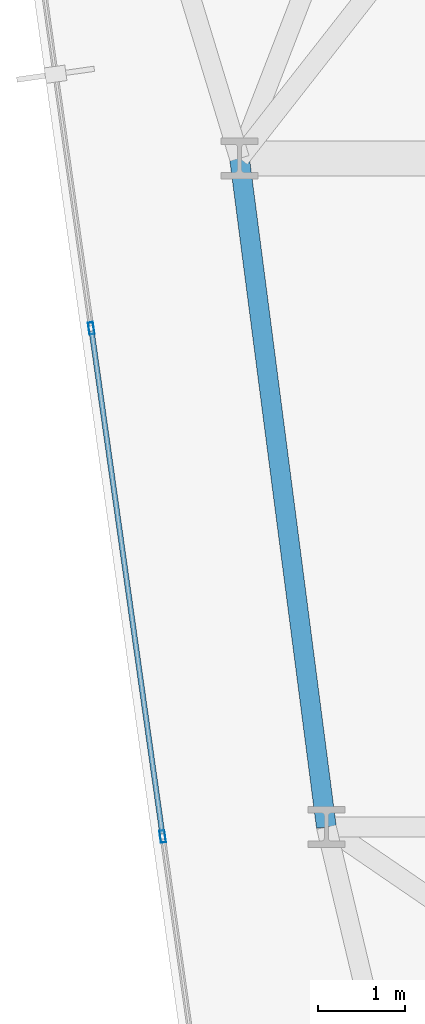
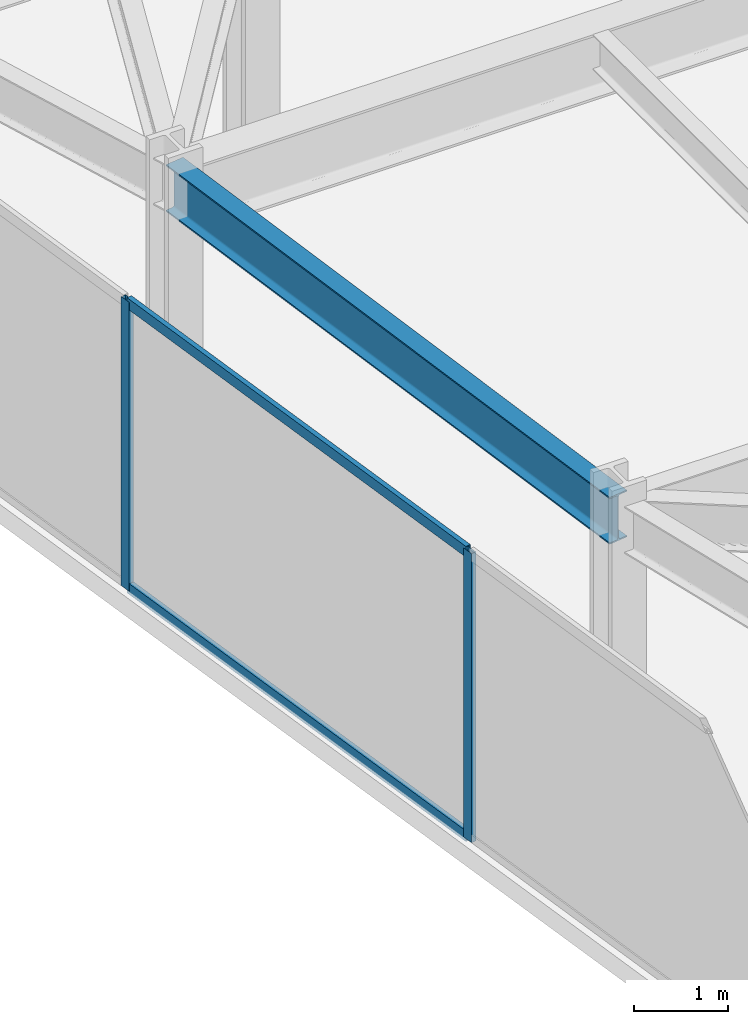
# One storey, part 5 of 26: 4 members, 1 beam, 1 element without a shape of its own.
"""IFC4 building model written with IfcOpenShell, lengths in metres."""

from ifc_helpers import new_model, si_unit, direction, frame, origin, origin_2d, place, context, subcontext, project, spatial, hollow_rectangle, i_section, extrude, material, layer, layer_set, material_profile, profile_set, type_object, element, aggregate, save


model = new_model("IFC4")

# Units and contexts
model_context = context("Model", 3, precision=1e-05, world=origin(), true_north=direction((0.0, 1.0)))
body_context = subcontext(model_context, "Body", "Model", "MODEL_VIEW")
ifc_project = project(units=[si_unit("LENGTHUNIT", "METRE"), si_unit("AREAUNIT", "SQUARE_METRE"), si_unit("VOLUMEUNIT", "CUBIC_METRE"), si_unit("PLANEANGLEUNIT", "RADIAN"), si_unit("MASSUNIT", "GRAM", prefix="KILO")], contexts=[model_context])

# Site, building, storey
site_placement = place(None, origin())
site = spatial("IfcSite", under=ifc_project, at=site_placement, CompositionType="ELEMENT")
building_placement = place(site_placement, origin())
building = spatial("IfcBuilding", under=site, at=building_placement, Name="Kravanh Interchange Tower", CompositionType="ELEMENT")
storey_placement = place(building_placement, frame((0.0, 0.0, 108.0)))
storey = spatial("IfcBuildingStorey", under=building, at=storey_placement, Name="L25", CompositionType="ELEMENT", Elevation=108.0)

# Curtain wall, members
ifc_material_1 = material(Name="Anodised Bronze Aluminium", Category="aluminium")
ifc_layer = layer(ifc_material_1, 0.179931640625)
ifc_layer_set = layer_set([ifc_layer], Name="Unitised Curtain Wall System CW-Z2 Mid Office")
curtain_wall_type = type_object("IfcCurtainWallType", Name="Unitised Curtain Wall System CW-Z2 Mid Office", PredefinedType="NOTDEFINED", material=ifc_layer_set)
curtain_wall_placement = place(storey_placement, origin())
curtain_wall = element("IfcCurtainWall", 1, at=curtain_wall_placement, inside=storey, type_object=curtain_wall_type, Name="L25 Unitised Curtain Wall CW-L25-01", PredefinedType="NOTDEFINED")
ifc_material_2 = material(Name="Anodised Bronze Aluminium", Category="aluminium")
ifc_material_profile_1 = material_profile(ifc_material_2, hollow_rectangle(XDim=0.06005859375, YDim=0.139892578125, WallThickness=0.00390625, at=origin_2d()), Name="ALU60X140X4")
ifc_profile_set_1 = profile_set([ifc_material_profile_1], Name="Anodised Bronze Aluminium")
member_type_1 = type_object("IfcMemberType", Name="Curtain Wall Mullion ALU60X140X4 Bronze", PredefinedType="MULLION", material=ifc_profile_set_1)
member_1_placement = place(storey_placement, frame((14.114990234375, 14.390869140625, 0.0), z_axis=(0.0, 0.0, 1.0), x_axis=(-0.990268103846, -0.13917285118, 0.0)))
member_1 = element("IfcMember", 2, at=member_1_placement, type_object=member_type_1, Name="CW-Z2 mullion 2", PredefinedType="MULLION", context=body_context, shape_type="SweptSolid", body=[
    extrude(hollow_rectangle(XDim=0.06005859375, YDim=0.139892578125, WallThickness=0.00390625, at=origin_2d()), origin(), (0.0, 0.0, 1.0), 3.75),
])
member_2_placement = place(storey_placement, frame((13.29248046875, 20.2431640625, 0.0), z_axis=(0.0, 0.0, 1.0), x_axis=(-0.990268103846, -0.13917285118, 0.0)))
member_2 = element("IfcMember", 3, at=member_2_placement, type_object=member_type_1, Name="CW-Z2 mullion 3", PredefinedType="MULLION", context=body_context, shape_type="SweptSolid", body=[
    extrude(hollow_rectangle(XDim=0.06005859375, YDim=0.139892578125, WallThickness=0.00390625, at=origin_2d()), origin(), (0.0, 0.0, 1.0), 3.75),
])
ifc_material_3 = material(Name="Anodised Bronze Aluminium", Category="aluminium")
ifc_material_profile_2 = material_profile(ifc_material_3, hollow_rectangle(XDim=0.06005859375, YDim=0.139892578125, WallThickness=0.00390625, at=origin_2d()), Name="ALU60X140X4")
ifc_profile_set_2 = profile_set([ifc_material_profile_2], Name="Anodised Bronze Aluminium")
member_type_2 = type_object("IfcMemberType", Name="Curtain Wall Transom ALU60X140X4 Bronze", PredefinedType="USERDEFINED", material=ifc_profile_set_2)
member_3_placement = place(storey_placement, frame((14.11083984375, 14.420654296875, 0.030029296875), z_axis=(-0.139183212647, 0.990266647584, 0.0), x_axis=(-0.990266647584, -0.139183212647, 0.0)))
member_3 = element("IfcMember", 4, at=member_3_placement, type_object=member_type_2, Name="CW-Z2 transom 2.1", ObjectType="TRANSOM", PredefinedType="USERDEFINED", context=body_context, shape_type="SweptSolid", body=[
    extrude(hollow_rectangle(XDim=0.06005859375, YDim=0.139892578125, WallThickness=0.00390625, at=origin_2d()), origin(), (0.0, 0.0, 1.0), 5.849853515625),
])
member_4_placement = place(storey_placement, frame((14.11083984375, 14.420654296875, 3.719970703125), z_axis=(-0.139183212647, 0.990266647584, 0.0), x_axis=(-0.990266647584, -0.139183212647, 0.0)))
member_4 = element("IfcMember", 5, at=member_4_placement, type_object=member_type_2, Name="CW-Z2 transom 2.2", ObjectType="TRANSOM", PredefinedType="USERDEFINED", context=body_context, shape_type="SweptSolid", body=[
    extrude(hollow_rectangle(XDim=0.06005859375, YDim=0.139892578125, WallThickness=0.00390625, at=origin_2d()), origin(), (0.0, 0.0, 1.0), 5.849853515625),
])
aggregate(curtain_wall, [member_1, member_2, member_3, member_4])

# Beam
ifc_material_4 = material(Name="Structural Steel S355", Category="steel")
ifc_material_profile_3 = material_profile(ifc_material_4, i_section(OverallWidth=0.22802734375, OverallDepth=0.60791015625, WebThickness=0.01123046875, FlangeThickness=0.017333984375, FilletRadius=0.02197265625, at=origin_2d()), Name="W24X76")
ifc_profile_set_3 = profile_set([ifc_material_profile_3], Name="Structural Steel S355")
beam_type = type_object("IfcBeamType", Name="Floor Spandrel W24X76 Structural Steel S355", PredefinedType="SPANDREL", material=ifc_profile_set_3)
beam_placement = place(storey_placement, frame((16.0, 14.5, 3.446044921875), z_axis=(-0.128789384125, 0.99167196922, 0.0), x_axis=(-0.99167196922, -0.128789384125, 0.0)))
element("IfcBeam", 6, at=beam_placement, inside=storey, type_object=beam_type, Name="L25 Perimeter Spandrel 100", PredefinedType="SPANDREL", context=body_context, shape_type="SweptSolid", body=[
    extrude(i_section(OverallWidth=0.22802734375, OverallDepth=0.60791015625, WebThickness=0.01123046875, FlangeThickness=0.017333984375, FilletRadius=0.02197265625, at=origin_2d()), origin(), (0.0, 0.0, 1.0), 7.7646484375),
])

save(model, "model.ifc")
